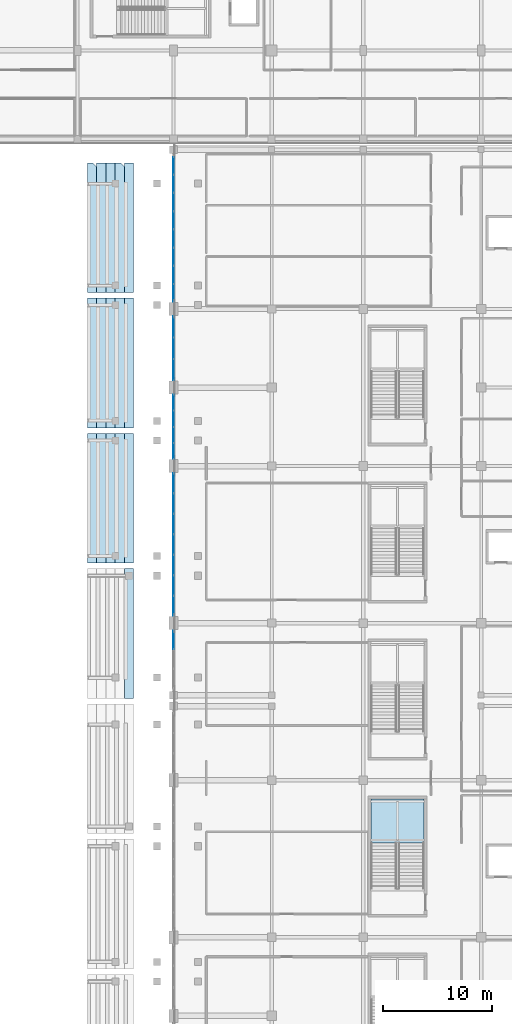
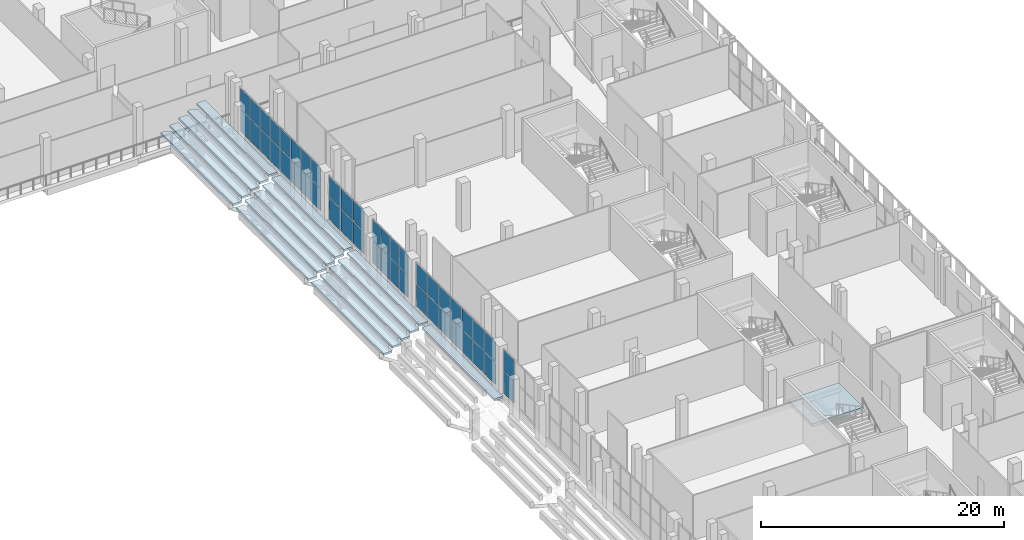
# One storey, part 81 of 142: 46 plates, 17 slabs, 6 elements without a shape of their own.
"""IFC4 building model written with IfcOpenShell, lengths in metres."""

from ifc_helpers import new_model, si_unit, direction, frame, origin, origin_2d, place, context, subcontext, project, spatial, polyline, rectangle, outline, extrude, material, layer, layer_set, type_object, element, aggregate, save


model = new_model("IFC4")

# Units and contexts
model_context = context("Model", 3, precision=1e-05, world=origin(), true_north=direction((0.0, 1.0)))
body_context = subcontext(model_context, "Body", "Model", "MODEL_VIEW")
ifc_project = project(units=[si_unit("LENGTHUNIT", "METRE"), si_unit("AREAUNIT", "SQUARE_METRE"), si_unit("VOLUMEUNIT", "CUBIC_METRE"), si_unit("PLANEANGLEUNIT", "RADIAN"), si_unit("MASSUNIT", "GRAM", prefix="KILO")], contexts=[model_context])

# Site, building, storey
site_placement = place(None, origin())
site = spatial("IfcSite", under=ifc_project, at=site_placement, CompositionType="ELEMENT")
building_placement = place(site_placement, origin())
building = spatial("IfcBuilding", under=site, at=building_placement, Name="Koshinbarg Plaza Stadium", CompositionType="ELEMENT")
storey_placement = place(building_placement, frame((0.0, 0.0, 10.199951171875)))
storey = spatial("IfcBuildingStorey", under=building, at=storey_placement, Name="L02", CompositionType="ELEMENT", Elevation=10.199951171875)

# Curtain wall, plates
ifc_material_1 = material(Name="Thermally broken anodised aluminium and low-E double glazing", Category="aluminium")
curtain_wall_type_1 = type_object("IfcCurtainWallType", Name="CW-SYS-07", PredefinedType="NOTDEFINED", material=ifc_material_1)
curtain_wall_1_placement = place(storey_placement, origin())
curtain_wall_1 = element("IfcCurtainWall", 1, at=curtain_wall_1_placement, inside=storey, type_object=curtain_wall_type_1, Name="L02 unitised curtain wall CW-L02-086", PredefinedType="NOTDEFINED")
ifc_material_2 = material(Name="Solar-control low-E double glazing unit", Category="glass")
ifc_layer_1 = layer(ifc_material_2, 0.028076171875)
ifc_layer_set_1 = layer_set([ifc_layer_1], Name="Solar-control low-E double glazing unit")
plate_type_1 = type_object("IfcPlateType", Name="CW-PNL-28", PredefinedType="CURTAIN_PANEL", material=ifc_layer_set_1)
plate_1_placement = place(storey_placement, frame((180.39990234375, 81.57177734375, 0.06005859375), z_axis=(0.0, 0.0, 1.0), x_axis=(0.0, 1.0, 0.0)))
plate_1 = element("IfcPlate", 2, at=plate_1_placement, type_object=plate_type_1, Name="CW07 panel 3.1", PredefinedType="CURTAIN_PANEL", context=body_context, shape_type="SweptSolid", body=[
    extrude(rectangle(XDim=1.69677734375, YDim=0.028076171875, at=origin_2d()), origin(), (0.0, 0.0, 1.0), 2.239501953125),
])
plate_2_placement = place(storey_placement, frame((180.39990234375, 81.57177734375, 2.35986328125), z_axis=(0.0, 0.0, 1.0), x_axis=(0.0, 1.0, 0.0)))
plate_2 = element("IfcPlate", 3, at=plate_2_placement, type_object=plate_type_1, Name="CW07 panel 3.2", PredefinedType="CURTAIN_PANEL", context=body_context, shape_type="SweptSolid", body=[
    extrude(rectangle(XDim=1.69677734375, YDim=0.028076171875, at=origin_2d()), origin(), (0.0, 0.0, 1.0), 2.060302734375),
])
aggregate(curtain_wall_1, [plate_1, plate_2])

curtain_wall_type_2 = type_object("IfcCurtainWallType", Name="CW-SYS-09", PredefinedType="NOTDEFINED", material=ifc_material_1)
curtain_wall_2_placement = place(storey_placement, origin())
curtain_wall_2 = element("IfcCurtainWall", 4, at=curtain_wall_2_placement, inside=storey, type_object=curtain_wall_type_2, Name="L02 unitised curtain wall CW-L02-088", PredefinedType="NOTDEFINED")
plate_3_placement = place(storey_placement, frame((180.39990234375, 98.8798828125, 0.06005859375), z_axis=(0.0, 0.0, 1.0), x_axis=(0.0, 1.0, 0.0)))
plate_3 = element("IfcPlate", 5, at=plate_3_placement, type_object=plate_type_1, Name="CW09 panel 1.1", PredefinedType="CURTAIN_PANEL", context=body_context, shape_type="SweptSolid", body=[
    extrude(rectangle(XDim=1.39990234375, YDim=0.028076171875, at=origin_2d()), origin(), (0.0, 0.0, 1.0), 2.239501953125),
])
plate_4_placement = place(storey_placement, frame((180.39990234375, 98.8798828125, 2.35986328125), z_axis=(0.0, 0.0, 1.0), x_axis=(0.0, 1.0, 0.0)))
plate_4 = element("IfcPlate", 6, at=plate_4_placement, type_object=plate_type_1, Name="CW09 panel 1.2", PredefinedType="CURTAIN_PANEL", context=body_context, shape_type="SweptSolid", body=[
    extrude(rectangle(XDim=1.39990234375, YDim=0.028076171875, at=origin_2d()), origin(), (0.0, 0.0, 1.0), 2.060302734375),
])
plate_5_placement = place(storey_placement, frame((180.39990234375, 100.35498046875, 0.06005859375), z_axis=(0.0, 0.0, 1.0), x_axis=(0.0, 1.0, 0.0)))
plate_5 = element("IfcPlate", 7, at=plate_5_placement, type_object=plate_type_1, Name="CW09 panel 2.1", PredefinedType="CURTAIN_PANEL", context=body_context, shape_type="SweptSolid", body=[
    extrude(rectangle(XDim=1.429931640625, YDim=0.028076171875, at=origin_2d()), origin(), (0.0, 0.0, 1.0), 2.239501953125),
])
plate_6_placement = place(storey_placement, frame((180.39990234375, 100.35498046875, 2.35986328125), z_axis=(0.0, 0.0, 1.0), x_axis=(0.0, 1.0, 0.0)))
plate_6 = element("IfcPlate", 8, at=plate_6_placement, type_object=plate_type_1, Name="CW09 panel 2.2", PredefinedType="CURTAIN_PANEL", context=body_context, shape_type="SweptSolid", body=[
    extrude(rectangle(XDim=1.429931640625, YDim=0.028076171875, at=origin_2d()), origin(), (0.0, 0.0, 1.0), 2.060302734375),
])
plate_7_placement = place(storey_placement, frame((180.39990234375, 101.844970703125, 0.06005859375), z_axis=(0.0, 0.0, 1.0), x_axis=(0.0, 1.0, 0.0)))
plate_7 = element("IfcPlate", 9, at=plate_7_placement, type_object=plate_type_1, Name="CW09 panel 3.1", PredefinedType="CURTAIN_PANEL", context=body_context, shape_type="SweptSolid", body=[
    extrude(rectangle(XDim=1.429931640625, YDim=0.028076171875, at=origin_2d()), origin(), (0.0, 0.0, 1.0), 2.239501953125),
])
plate_8_placement = place(storey_placement, frame((180.39990234375, 101.844970703125, 2.35986328125), z_axis=(0.0, 0.0, 1.0), x_axis=(0.0, 1.0, 0.0)))
plate_8 = element("IfcPlate", 10, at=plate_8_placement, type_object=plate_type_1, Name="CW09 panel 3.2", PredefinedType="CURTAIN_PANEL", context=body_context, shape_type="SweptSolid", body=[
    extrude(rectangle(XDim=1.429931640625, YDim=0.028076171875, at=origin_2d()), origin(), (0.0, 0.0, 1.0), 2.060302734375),
])
plate_9_placement = place(storey_placement, frame((180.39990234375, 103.320068359375, 0.06005859375), z_axis=(0.0, 0.0, 1.0), x_axis=(0.0, 1.0, 0.0)))
plate_9 = element("IfcPlate", 11, at=plate_9_placement, type_object=plate_type_1, Name="CW09 panel 4.1", PredefinedType="CURTAIN_PANEL", context=body_context, shape_type="SweptSolid", body=[
    extrude(rectangle(XDim=1.39990234375, YDim=0.028076171875, at=origin_2d()), origin(), (0.0, 0.0, 1.0), 2.239501953125),
])
plate_10_placement = place(storey_placement, frame((180.39990234375, 103.320068359375, 2.35986328125), z_axis=(0.0, 0.0, 1.0), x_axis=(0.0, 1.0, 0.0)))
plate_10 = element("IfcPlate", 12, at=plate_10_placement, type_object=plate_type_1, Name="CW09 panel 4.2", PredefinedType="CURTAIN_PANEL", context=body_context, shape_type="SweptSolid", body=[
    extrude(rectangle(XDim=1.39990234375, YDim=0.028076171875, at=origin_2d()), origin(), (0.0, 0.0, 1.0), 2.060302734375),
])
aggregate(curtain_wall_2, [plate_3, plate_4, plate_5, plate_6, plate_7, plate_8, plate_9, plate_10])

curtain_wall_type_3 = type_object("IfcCurtainWallType", Name="CW-SYS-11", PredefinedType="NOTDEFINED", material=ifc_material_1)
curtain_wall_3_placement = place(storey_placement, origin())
curtain_wall_3 = element("IfcCurtainWall", 13, at=curtain_wall_3_placement, inside=storey, type_object=curtain_wall_type_3, Name="L02 unitised curtain wall CW-L02-090", PredefinedType="NOTDEFINED")
plate_11_placement = place(storey_placement, frame((180.39990234375, 113.3701171875, 0.06005859375), z_axis=(0.0, 0.0, 1.0), x_axis=(0.0, 1.0, 0.0)))
plate_11 = element("IfcPlate", 14, at=plate_11_placement, type_object=plate_type_1, Name="CW11 panel 1.1", PredefinedType="CURTAIN_PANEL", context=body_context, shape_type="SweptSolid", body=[
    extrude(rectangle(XDim=1.580078125, YDim=0.028076171875, at=origin_2d()), origin(), (0.0, 0.0, 1.0), 2.239501953125),
])
plate_12_placement = place(storey_placement, frame((180.39990234375, 113.3701171875, 2.35986328125), z_axis=(0.0, 0.0, 1.0), x_axis=(0.0, 1.0, 0.0)))
plate_12 = element("IfcPlate", 15, at=plate_12_placement, type_object=plate_type_1, Name="CW11 panel 1.2", PredefinedType="CURTAIN_PANEL", context=body_context, shape_type="SweptSolid", body=[
    extrude(rectangle(XDim=1.580078125, YDim=0.028076171875, at=origin_2d()), origin(), (0.0, 0.0, 1.0), 2.060302734375),
])
plate_13_placement = place(storey_placement, frame((180.39990234375, 115.02490234375, 0.06005859375), z_axis=(0.0, 0.0, 1.0), x_axis=(0.0, 1.0, 0.0)))
plate_13 = element("IfcPlate", 16, at=plate_13_placement, type_object=plate_type_1, Name="CW11 panel 2.1", PredefinedType="CURTAIN_PANEL", context=body_context, shape_type="SweptSolid", body=[
    extrude(rectangle(XDim=1.610107421875, YDim=0.028076171875, at=origin_2d()), origin(), (0.0, 0.0, 1.0), 2.239501953125),
])
plate_14_placement = place(storey_placement, frame((180.39990234375, 115.02490234375, 2.35986328125), z_axis=(0.0, 0.0, 1.0), x_axis=(0.0, 1.0, 0.0)))
plate_14 = element("IfcPlate", 17, at=plate_14_placement, type_object=plate_type_1, Name="CW11 panel 2.2", PredefinedType="CURTAIN_PANEL", context=body_context, shape_type="SweptSolid", body=[
    extrude(rectangle(XDim=1.610107421875, YDim=0.028076171875, at=origin_2d()), origin(), (0.0, 0.0, 1.0), 2.060302734375),
])
plate_15_placement = place(storey_placement, frame((180.39990234375, 116.695068359375, 0.06005859375), z_axis=(0.0, 0.0, 1.0), x_axis=(0.0, 1.0, 0.0)))
plate_15 = element("IfcPlate", 18, at=plate_15_placement, type_object=plate_type_1, Name="CW11 panel 3.1", PredefinedType="CURTAIN_PANEL", context=body_context, shape_type="SweptSolid", body=[
    extrude(rectangle(XDim=1.610107421875, YDim=0.028076171875, at=origin_2d()), origin(), (0.0, 0.0, 1.0), 2.239501953125),
])
plate_16_placement = place(storey_placement, frame((180.39990234375, 116.695068359375, 2.35986328125), z_axis=(0.0, 0.0, 1.0), x_axis=(0.0, 1.0, 0.0)))
plate_16 = element("IfcPlate", 19, at=plate_16_placement, type_object=plate_type_1, Name="CW11 panel 3.2", PredefinedType="CURTAIN_PANEL", context=body_context, shape_type="SweptSolid", body=[
    extrude(rectangle(XDim=1.610107421875, YDim=0.028076171875, at=origin_2d()), origin(), (0.0, 0.0, 1.0), 2.060302734375),
])
plate_17_placement = place(storey_placement, frame((180.39990234375, 118.364990234375, 0.06005859375), z_axis=(0.0, 0.0, 1.0), x_axis=(0.0, 1.0, 0.0)))
plate_17 = element("IfcPlate", 20, at=plate_17_placement, type_object=plate_type_1, Name="CW11 panel 4.1", PredefinedType="CURTAIN_PANEL", context=body_context, shape_type="SweptSolid", body=[
    extrude(rectangle(XDim=1.610107421875, YDim=0.028076171875, at=origin_2d()), origin(), (0.0, 0.0, 1.0), 2.239501953125),
])
plate_18_placement = place(storey_placement, frame((180.39990234375, 118.364990234375, 2.35986328125), z_axis=(0.0, 0.0, 1.0), x_axis=(0.0, 1.0, 0.0)))
plate_18 = element("IfcPlate", 21, at=plate_18_placement, type_object=plate_type_1, Name="CW11 panel 4.2", PredefinedType="CURTAIN_PANEL", context=body_context, shape_type="SweptSolid", body=[
    extrude(rectangle(XDim=1.610107421875, YDim=0.028076171875, at=origin_2d()), origin(), (0.0, 0.0, 1.0), 2.060302734375),
])
plate_19_placement = place(storey_placement, frame((180.39990234375, 120.034912109375, 0.06005859375), z_axis=(0.0, 0.0, 1.0), x_axis=(0.0, 1.0, 0.0)))
plate_19 = element("IfcPlate", 22, at=plate_19_placement, type_object=plate_type_1, Name="CW11 panel 5.1", PredefinedType="CURTAIN_PANEL", context=body_context, shape_type="SweptSolid", body=[
    extrude(rectangle(XDim=1.610107421875, YDim=0.028076171875, at=origin_2d()), origin(), (0.0, 0.0, 1.0), 2.239501953125),
])
plate_20_placement = place(storey_placement, frame((180.39990234375, 120.034912109375, 2.35986328125), z_axis=(0.0, 0.0, 1.0), x_axis=(0.0, 1.0, 0.0)))
plate_20 = element("IfcPlate", 23, at=plate_20_placement, type_object=plate_type_1, Name="CW11 panel 5.2", PredefinedType="CURTAIN_PANEL", context=body_context, shape_type="SweptSolid", body=[
    extrude(rectangle(XDim=1.610107421875, YDim=0.028076171875, at=origin_2d()), origin(), (0.0, 0.0, 1.0), 2.060302734375),
])
plate_21_placement = place(storey_placement, frame((180.39990234375, 121.705078125, 0.06005859375), z_axis=(0.0, 0.0, 1.0), x_axis=(0.0, 1.0, 0.0)))
plate_21 = element("IfcPlate", 24, at=plate_21_placement, type_object=plate_type_1, Name="CW11 panel 6.1", PredefinedType="CURTAIN_PANEL", context=body_context, shape_type="SweptSolid", body=[
    extrude(rectangle(XDim=1.610107421875, YDim=0.028076171875, at=origin_2d()), origin(), (0.0, 0.0, 1.0), 2.239501953125),
])
plate_22_placement = place(storey_placement, frame((180.39990234375, 121.705078125, 2.35986328125), z_axis=(0.0, 0.0, 1.0), x_axis=(0.0, 1.0, 0.0)))
plate_22 = element("IfcPlate", 25, at=plate_22_placement, type_object=plate_type_1, Name="CW11 panel 6.2", PredefinedType="CURTAIN_PANEL", context=body_context, shape_type="SweptSolid", body=[
    extrude(rectangle(XDim=1.610107421875, YDim=0.028076171875, at=origin_2d()), origin(), (0.0, 0.0, 1.0), 2.060302734375),
])
plate_23_placement = place(storey_placement, frame((180.39990234375, 123.375, 0.06005859375), z_axis=(0.0, 0.0, 1.0), x_axis=(0.0, 1.0, 0.0)))
plate_23 = element("IfcPlate", 26, at=plate_23_placement, type_object=plate_type_1, Name="CW11 panel 7.1", PredefinedType="CURTAIN_PANEL", context=body_context, shape_type="SweptSolid", body=[
    extrude(rectangle(XDim=1.610107421875, YDim=0.028076171875, at=origin_2d()), origin(), (0.0, 0.0, 1.0), 2.239501953125),
])
plate_24_placement = place(storey_placement, frame((180.39990234375, 123.375, 2.35986328125), z_axis=(0.0, 0.0, 1.0), x_axis=(0.0, 1.0, 0.0)))
plate_24 = element("IfcPlate", 27, at=plate_24_placement, type_object=plate_type_1, Name="CW11 panel 7.2", PredefinedType="CURTAIN_PANEL", context=body_context, shape_type="SweptSolid", body=[
    extrude(rectangle(XDim=1.610107421875, YDim=0.028076171875, at=origin_2d()), origin(), (0.0, 0.0, 1.0), 2.060302734375),
])
plate_25_placement = place(storey_placement, frame((180.39990234375, 125.030029296875, 0.06005859375), z_axis=(0.0, 0.0, 1.0), x_axis=(0.0, 1.0, 0.0)))
plate_25 = element("IfcPlate", 28, at=plate_25_placement, type_object=plate_type_1, Name="CW11 panel 8.1", PredefinedType="CURTAIN_PANEL", context=body_context, shape_type="SweptSolid", body=[
    extrude(rectangle(XDim=1.580078125, YDim=0.028076171875, at=origin_2d()), origin(), (0.0, 0.0, 1.0), 2.239501953125),
])
plate_26_placement = place(storey_placement, frame((180.39990234375, 125.030029296875, 2.35986328125), z_axis=(0.0, 0.0, 1.0), x_axis=(0.0, 1.0, 0.0)))
plate_26 = element("IfcPlate", 29, at=plate_26_placement, type_object=plate_type_1, Name="CW11 panel 8.2", PredefinedType="CURTAIN_PANEL", context=body_context, shape_type="SweptSolid", body=[
    extrude(rectangle(XDim=1.580078125, YDim=0.028076171875, at=origin_2d()), origin(), (0.0, 0.0, 1.0), 2.060302734375),
])
aggregate(curtain_wall_3, [plate_11, plate_12, plate_13, plate_14, plate_15, plate_16, plate_17, plate_18, plate_19, plate_20, plate_21, plate_22, plate_23, plate_24, plate_25, plate_26])

curtain_wall_type_4 = type_object("IfcCurtainWallType", Name="CW-SYS-08", PredefinedType="NOTDEFINED", material=ifc_material_1)
curtain_wall_4_placement = place(storey_placement, origin())
curtain_wall_4 = element("IfcCurtainWall", 30, at=curtain_wall_4_placement, inside=storey, type_object=curtain_wall_type_4, Name="L02 unitised curtain wall CW-L02-087", PredefinedType="NOTDEFINED")
ifc_material_3 = material(Name="Acoustic solar-control double glazing unit", Category="glass")
ifc_layer_2 = layer(ifc_material_3, 0.031982421875)
ifc_layer_set_2 = layer_set([ifc_layer_2], Name="Acoustic solar-control double glazing unit")
plate_type_2 = type_object("IfcPlateType", Name="CW-PNL-32", PredefinedType="CURTAIN_PANEL", material=ifc_layer_set_2)
plate_27_placement = place(storey_placement, frame((180.39990234375, 84.675048828125, 0.06005859375), z_axis=(0.0, 0.0, 1.0), x_axis=(0.0, 1.0, 0.0)))
plate_27 = element("IfcPlate", 31, at=plate_27_placement, type_object=plate_type_2, Name="CW08 panel 1.1", PredefinedType="CURTAIN_PANEL", context=body_context, shape_type="SweptSolid", body=[
    extrude(rectangle(XDim=1.7900390625, YDim=0.031982421875, at=origin_2d()), origin(), (0.0, 0.0, 1.0), 2.239501953125),
])
plate_28_placement = place(storey_placement, frame((180.39990234375, 84.675048828125, 2.35986328125), z_axis=(0.0, 0.0, 1.0), x_axis=(0.0, 1.0, 0.0)))
plate_28 = element("IfcPlate", 32, at=plate_28_placement, type_object=plate_type_2, Name="CW08 panel 1.2", PredefinedType="CURTAIN_PANEL", context=body_context, shape_type="SweptSolid", body=[
    extrude(rectangle(XDim=1.7900390625, YDim=0.031982421875, at=origin_2d()), origin(), (0.0, 0.0, 1.0), 2.060302734375),
])
plate_29_placement = place(storey_placement, frame((180.39990234375, 86.5400390625, 0.06005859375), z_axis=(0.0, 0.0, 1.0), x_axis=(0.0, 1.0, 0.0)))
plate_29 = element("IfcPlate", 33, at=plate_29_placement, type_object=plate_type_2, Name="CW08 panel 2.1", PredefinedType="CURTAIN_PANEL", context=body_context, shape_type="SweptSolid", body=[
    extrude(rectangle(XDim=1.820068359375, YDim=0.031982421875, at=origin_2d()), origin(), (0.0, 0.0, 1.0), 2.239501953125),
])
plate_30_placement = place(storey_placement, frame((180.39990234375, 86.5400390625, 2.35986328125), z_axis=(0.0, 0.0, 1.0), x_axis=(0.0, 1.0, 0.0)))
plate_30 = element("IfcPlate", 34, at=plate_30_placement, type_object=plate_type_2, Name="CW08 panel 2.2", PredefinedType="CURTAIN_PANEL", context=body_context, shape_type="SweptSolid", body=[
    extrude(rectangle(XDim=1.820068359375, YDim=0.031982421875, at=origin_2d()), origin(), (0.0, 0.0, 1.0), 2.060302734375),
])
plate_31_placement = place(storey_placement, frame((180.39990234375, 88.419921875, 0.06005859375), z_axis=(0.0, 0.0, 1.0), x_axis=(0.0, 1.0, 0.0)))
plate_31 = element("IfcPlate", 35, at=plate_31_placement, type_object=plate_type_2, Name="CW08 panel 3.1", PredefinedType="CURTAIN_PANEL", context=body_context, shape_type="SweptSolid", body=[
    extrude(rectangle(XDim=1.820068359375, YDim=0.031982421875, at=origin_2d()), origin(), (0.0, 0.0, 1.0), 2.239501953125),
])
plate_32_placement = place(storey_placement, frame((180.39990234375, 88.419921875, 2.35986328125), z_axis=(0.0, 0.0, 1.0), x_axis=(0.0, 1.0, 0.0)))
plate_32 = element("IfcPlate", 36, at=plate_32_placement, type_object=plate_type_2, Name="CW08 panel 3.2", PredefinedType="CURTAIN_PANEL", context=body_context, shape_type="SweptSolid", body=[
    extrude(rectangle(XDim=1.820068359375, YDim=0.031982421875, at=origin_2d()), origin(), (0.0, 0.0, 1.0), 2.060302734375),
])
plate_33_placement = place(storey_placement, frame((180.39990234375, 90.300048828125, 0.06005859375), z_axis=(0.0, 0.0, 1.0), x_axis=(0.0, 1.0, 0.0)))
plate_33 = element("IfcPlate", 37, at=plate_33_placement, type_object=plate_type_2, Name="CW08 panel 4.1", PredefinedType="CURTAIN_PANEL", context=body_context, shape_type="SweptSolid", body=[
    extrude(rectangle(XDim=1.820068359375, YDim=0.031982421875, at=origin_2d()), origin(), (0.0, 0.0, 1.0), 2.239501953125),
])
plate_34_placement = place(storey_placement, frame((180.39990234375, 90.300048828125, 2.35986328125), z_axis=(0.0, 0.0, 1.0), x_axis=(0.0, 1.0, 0.0)))
plate_34 = element("IfcPlate", 38, at=plate_34_placement, type_object=plate_type_2, Name="CW08 panel 4.2", PredefinedType="CURTAIN_PANEL", context=body_context, shape_type="SweptSolid", body=[
    extrude(rectangle(XDim=1.820068359375, YDim=0.031982421875, at=origin_2d()), origin(), (0.0, 0.0, 1.0), 2.060302734375),
])
plate_35_placement = place(storey_placement, frame((180.39990234375, 92.179931640625, 0.06005859375), z_axis=(0.0, 0.0, 1.0), x_axis=(0.0, 1.0, 0.0)))
plate_35 = element("IfcPlate", 39, at=plate_35_placement, type_object=plate_type_2, Name="CW08 panel 5.1", PredefinedType="CURTAIN_PANEL", context=body_context, shape_type="SweptSolid", body=[
    extrude(rectangle(XDim=1.820068359375, YDim=0.031982421875, at=origin_2d()), origin(), (0.0, 0.0, 1.0), 2.239501953125),
])
plate_36_placement = place(storey_placement, frame((180.39990234375, 92.179931640625, 2.35986328125), z_axis=(0.0, 0.0, 1.0), x_axis=(0.0, 1.0, 0.0)))
plate_36 = element("IfcPlate", 40, at=plate_36_placement, type_object=plate_type_2, Name="CW08 panel 5.2", PredefinedType="CURTAIN_PANEL", context=body_context, shape_type="SweptSolid", body=[
    extrude(rectangle(XDim=1.820068359375, YDim=0.031982421875, at=origin_2d()), origin(), (0.0, 0.0, 1.0), 2.060302734375),
])
plate_37_placement = place(storey_placement, frame((180.39990234375, 94.06005859375, 0.06005859375), z_axis=(0.0, 0.0, 1.0), x_axis=(0.0, 1.0, 0.0)))
plate_37 = element("IfcPlate", 41, at=plate_37_placement, type_object=plate_type_2, Name="CW08 panel 6.1", PredefinedType="CURTAIN_PANEL", context=body_context, shape_type="SweptSolid", body=[
    extrude(rectangle(XDim=1.820068359375, YDim=0.031982421875, at=origin_2d()), origin(), (0.0, 0.0, 1.0), 2.239501953125),
])
plate_38_placement = place(storey_placement, frame((180.39990234375, 94.06005859375, 2.35986328125), z_axis=(0.0, 0.0, 1.0), x_axis=(0.0, 1.0, 0.0)))
plate_38 = element("IfcPlate", 42, at=plate_38_placement, type_object=plate_type_2, Name="CW08 panel 6.2", PredefinedType="CURTAIN_PANEL", context=body_context, shape_type="SweptSolid", body=[
    extrude(rectangle(XDim=1.820068359375, YDim=0.031982421875, at=origin_2d()), origin(), (0.0, 0.0, 1.0), 2.060302734375),
])
plate_39_placement = place(storey_placement, frame((180.39990234375, 95.925048828125, 0.06005859375), z_axis=(0.0, 0.0, 1.0), x_axis=(0.0, 1.0, 0.0)))
plate_39 = element("IfcPlate", 43, at=plate_39_placement, type_object=plate_type_2, Name="CW08 panel 7.1", PredefinedType="CURTAIN_PANEL", context=body_context, shape_type="SweptSolid", body=[
    extrude(rectangle(XDim=1.7900390625, YDim=0.031982421875, at=origin_2d()), origin(), (0.0, 0.0, 1.0), 2.239501953125),
])
plate_40_placement = place(storey_placement, frame((180.39990234375, 95.925048828125, 2.35986328125), z_axis=(0.0, 0.0, 1.0), x_axis=(0.0, 1.0, 0.0)))
plate_40 = element("IfcPlate", 44, at=plate_40_placement, type_object=plate_type_2, Name="CW08 panel 7.2", PredefinedType="CURTAIN_PANEL", context=body_context, shape_type="SweptSolid", body=[
    extrude(rectangle(XDim=1.7900390625, YDim=0.031982421875, at=origin_2d()), origin(), (0.0, 0.0, 1.0), 2.060302734375),
])
aggregate(curtain_wall_4, [plate_27, plate_28, plate_29, plate_30, plate_31, plate_32, plate_33, plate_34, plate_35, plate_36, plate_37, plate_38, plate_39, plate_40])

curtain_wall_type_5 = type_object("IfcCurtainWallType", Name="CW-SYS-10", PredefinedType="NOTDEFINED", material=ifc_material_1)
curtain_wall_5_placement = place(storey_placement, origin())
curtain_wall_5 = element("IfcCurtainWall", 45, at=curtain_wall_5_placement, inside=storey, type_object=curtain_wall_type_5, Name="L02 unitised curtain wall CW-L02-089", PredefinedType="NOTDEFINED")
plate_41_placement = place(storey_placement, frame((180.39990234375, 106.328369140625, 0.06005859375), z_axis=(0.0, 0.0, 1.0), x_axis=(0.0, 1.0, 0.0)))
plate_41 = element("IfcPlate", 46, at=plate_41_placement, type_object=plate_type_2, Name="CW10 panel 1.1", PredefinedType="CURTAIN_PANEL", context=body_context, shape_type="SweptSolid", body=[
    extrude(rectangle(XDim=1.896728515625, YDim=0.031982421875, at=origin_2d()), origin(), (0.0, 0.0, 1.0), 2.239501953125),
])
plate_42_placement = place(storey_placement, frame((180.39990234375, 106.328369140625, 2.35986328125), z_axis=(0.0, 0.0, 1.0), x_axis=(0.0, 1.0, 0.0)))
plate_42 = element("IfcPlate", 47, at=plate_42_placement, type_object=plate_type_2, Name="CW10 panel 1.2", PredefinedType="CURTAIN_PANEL", context=body_context, shape_type="SweptSolid", body=[
    extrude(rectangle(XDim=1.896728515625, YDim=0.031982421875, at=origin_2d()), origin(), (0.0, 0.0, 1.0), 2.060302734375),
])
plate_43_placement = place(storey_placement, frame((180.39990234375, 108.300048828125, 0.06005859375), z_axis=(0.0, 0.0, 1.0), x_axis=(0.0, 1.0, 0.0)))
plate_43 = element("IfcPlate", 48, at=plate_43_placement, type_object=plate_type_2, Name="CW10 panel 2.1", PredefinedType="CURTAIN_PANEL", context=body_context, shape_type="SweptSolid", body=[
    extrude(rectangle(XDim=1.9267578125, YDim=0.031982421875, at=origin_2d()), origin(), (0.0, 0.0, 1.0), 2.239501953125),
])
plate_44_placement = place(storey_placement, frame((180.39990234375, 108.300048828125, 2.35986328125), z_axis=(0.0, 0.0, 1.0), x_axis=(0.0, 1.0, 0.0)))
plate_44 = element("IfcPlate", 49, at=plate_44_placement, type_object=plate_type_2, Name="CW10 panel 2.2", PredefinedType="CURTAIN_PANEL", context=body_context, shape_type="SweptSolid", body=[
    extrude(rectangle(XDim=1.9267578125, YDim=0.031982421875, at=origin_2d()), origin(), (0.0, 0.0, 1.0), 2.060302734375),
])
plate_45_placement = place(storey_placement, frame((180.39990234375, 110.271728515625, 0.06005859375), z_axis=(0.0, 0.0, 1.0), x_axis=(0.0, 1.0, 0.0)))
plate_45 = element("IfcPlate", 50, at=plate_45_placement, type_object=plate_type_2, Name="CW10 panel 3.1", PredefinedType="CURTAIN_PANEL", context=body_context, shape_type="SweptSolid", body=[
    extrude(rectangle(XDim=1.896728515625, YDim=0.031982421875, at=origin_2d()), origin(), (0.0, 0.0, 1.0), 2.239501953125),
])
plate_46_placement = place(storey_placement, frame((180.39990234375, 110.271728515625, 2.35986328125), z_axis=(0.0, 0.0, 1.0), x_axis=(0.0, 1.0, 0.0)))
plate_46 = element("IfcPlate", 51, at=plate_46_placement, type_object=plate_type_2, Name="CW10 panel 3.2", PredefinedType="CURTAIN_PANEL", context=body_context, shape_type="SweptSolid", body=[
    extrude(rectangle(XDim=1.896728515625, YDim=0.031982421875, at=origin_2d()), origin(), (0.0, 0.0, 1.0), 2.060302734375),
])
aggregate(curtain_wall_5, [plate_41, plate_42, plate_43, plate_44, plate_45, plate_46])

# Stair, slab
ifc_material_4 = material(Name="Concrete C35/45", Category="concrete")
stair_type = type_object("IfcStairType", Name="ST-VOM-48", PredefinedType="HALF_TURN_STAIR", material=ifc_material_4)
stair_placement = place(storey_placement, origin())
stair = element("IfcStair", 52, at=stair_placement, inside=storey, type_object=stair_type, Name="L02 Upper Vomitory Stair VX09", PredefinedType="HALF_TURN_STAIR")
ifc_layer_3 = layer(ifc_material_4, 0.320068359375)
ifc_layer_set_3 = layer_set([ifc_layer_3], Name="Concrete C35/45")
slab_type_1 = type_object("IfcSlabType", Name="SL-STLAND-280", PredefinedType="LANDING", material=ifc_layer_set_3)
slab_1_placement = place(storey_placement, frame((0.0, 0.0, 2.080078125)))
slab_1 = element("IfcSlab", 53, at=slab_1_placement, type_object=slab_type_1, Name="L02 Upper Vomitory Stair VX09 landing 101", PredefinedType="LANDING", context=body_context, shape_type="SweptSolid", body=[
    extrude(outline(polyline([(203.3701171875, 62.9599609375), (203.3701171875, 67.0), (198.5, 67.0), (198.5, 62.9599609375), (203.3701171875, 62.9599609375)])), origin(), (0.0, 0.0, 1.0), 0.320068359375),
])
aggregate(stair, [slab_1])

# Slabs
ifc_material_5 = material(Name="Precast concrete C40/50", Category="concrete")
ifc_layer_4 = layer(ifc_material_5, 0.199951171875)
ifc_layer_set_4 = layer_set([ifc_layer_4], Name="Precast concrete C40/50")
slab_type_2 = type_object("IfcSlabType", Name="SL-TIER-UT", PredefinedType="USERDEFINED", material=ifc_layer_set_4)
slab_2_placement = place(storey_placement, frame((0.0, 0.0, 4.580078125)))
element("IfcSlab", 54, at=slab_2_placement, inside=storey, type_object=slab_type_2, Name="Stand upper seating tier UT-E05 row 5", ObjectType="SEATING TIER", PredefinedType="USERDEFINED", context=body_context, shape_type="SweptSolid", body=[
    extrude(outline(polyline([(175.89990234375, 76.199951171875), (176.75, 76.199951171875), (176.75, 88.10009765625), (175.89990234375, 88.10009765625), (175.89990234375, 76.199951171875)])), origin(), (0.0, 0.0, 1.0), 0.199951171875),
])
slab_3_placement = place(storey_placement, frame((0.0, 0.0, 2.820068359375)))
element("IfcSlab", 55, at=slab_3_placement, inside=storey, type_object=slab_type_2, Name="Stand upper seating tier UT-E06 row 1", ObjectType="SEATING TIER", PredefinedType="USERDEFINED", context=body_context, shape_type="SweptSolid", body=[
    extrude(outline(polyline([(172.5, 88.60009765625), (173.35009765625, 88.60009765625), (173.35009765625, 100.5), (172.5, 100.5), (172.5, 88.60009765625)])), origin(), (0.0, 0.0, 1.0), 0.199951171875),
])
slab_4_placement = place(storey_placement, frame((0.0, 0.0, 3.260009765625)))
element("IfcSlab", 56, at=slab_4_placement, inside=storey, type_object=slab_type_2, Name="Stand upper seating tier UT-E06 row 2", ObjectType="SEATING TIER", PredefinedType="USERDEFINED", context=body_context, shape_type="SweptSolid", body=[
    extrude(outline(polyline([(173.35009765625, 88.60009765625), (174.199951171875, 88.60009765625), (174.199951171875, 100.5), (173.35009765625, 100.5), (173.35009765625, 88.60009765625)])), origin(), (0.0, 0.0, 1.0), 0.199951171875),
])
slab_5_placement = place(storey_placement, frame((0.0, 0.0, 3.699951171875)))
element("IfcSlab", 57, at=slab_5_placement, inside=storey, type_object=slab_type_2, Name="Stand upper seating tier UT-E06 row 3", ObjectType="SEATING TIER", PredefinedType="USERDEFINED", context=body_context, shape_type="SweptSolid", body=[
    extrude(outline(polyline([(174.199951171875, 88.60009765625), (175.050048828125, 88.60009765625), (175.050048828125, 100.5), (174.199951171875, 100.5), (174.199951171875, 88.60009765625)])), origin(), (0.0, 0.0, 1.0), 0.2001953125),
])
slab_6_placement = place(storey_placement, frame((0.0, 0.0, 4.14013671875)))
element("IfcSlab", 58, at=slab_6_placement, inside=storey, type_object=slab_type_2, Name="Stand upper seating tier UT-E06 row 4", ObjectType="SEATING TIER", PredefinedType="USERDEFINED", context=body_context, shape_type="SweptSolid", body=[
    extrude(outline(polyline([(175.050048828125, 88.60009765625), (175.89990234375, 88.60009765625), (175.89990234375, 100.5), (175.050048828125, 100.5), (175.050048828125, 88.60009765625)])), origin(), (0.0, 0.0, 1.0), 0.199951171875),
])
slab_7_placement = place(storey_placement, frame((0.0, 0.0, 4.580078125)))
element("IfcSlab", 59, at=slab_7_placement, inside=storey, type_object=slab_type_2, Name="Stand upper seating tier UT-E06 row 5", ObjectType="SEATING TIER", PredefinedType="USERDEFINED", context=body_context, shape_type="SweptSolid", body=[
    extrude(outline(polyline([(175.89990234375, 88.60009765625), (176.75, 88.60009765625), (176.75, 100.5), (175.89990234375, 100.5), (175.89990234375, 88.60009765625)])), origin(), (0.0, 0.0, 1.0), 0.199951171875),
])
slab_8_placement = place(storey_placement, frame((0.0, 0.0, 2.820068359375)))
element("IfcSlab", 60, at=slab_8_placement, inside=storey, type_object=slab_type_2, Name="Stand upper seating tier UT-E07 row 1", ObjectType="SEATING TIER", PredefinedType="USERDEFINED", context=body_context, shape_type="SweptSolid", body=[
    extrude(outline(polyline([(172.5, 101.0), (173.35009765625, 101.0), (173.35009765625, 112.89990234375), (172.5, 112.89990234375), (172.5, 101.0)])), origin(), (0.0, 0.0, 1.0), 0.199951171875),
])
slab_9_placement = place(storey_placement, frame((0.0, 0.0, 3.260009765625)))
element("IfcSlab", 61, at=slab_9_placement, inside=storey, type_object=slab_type_2, Name="Stand upper seating tier UT-E07 row 2", ObjectType="SEATING TIER", PredefinedType="USERDEFINED", context=body_context, shape_type="SweptSolid", body=[
    extrude(outline(polyline([(173.35009765625, 101.0), (174.199951171875, 101.0), (174.199951171875, 112.89990234375), (173.35009765625, 112.89990234375), (173.35009765625, 101.0)])), origin(), (0.0, 0.0, 1.0), 0.199951171875),
])
slab_10_placement = place(storey_placement, frame((0.0, 0.0, 3.699951171875)))
element("IfcSlab", 62, at=slab_10_placement, inside=storey, type_object=slab_type_2, Name="Stand upper seating tier UT-E07 row 3", ObjectType="SEATING TIER", PredefinedType="USERDEFINED", context=body_context, shape_type="SweptSolid", body=[
    extrude(outline(polyline([(174.199951171875, 101.0), (175.050048828125, 101.0), (175.050048828125, 112.89990234375), (174.199951171875, 112.89990234375), (174.199951171875, 101.0)])), origin(), (0.0, 0.0, 1.0), 0.2001953125),
])
slab_11_placement = place(storey_placement, frame((0.0, 0.0, 4.14013671875)))
element("IfcSlab", 63, at=slab_11_placement, inside=storey, type_object=slab_type_2, Name="Stand upper seating tier UT-E07 row 4", ObjectType="SEATING TIER", PredefinedType="USERDEFINED", context=body_context, shape_type="SweptSolid", body=[
    extrude(outline(polyline([(175.050048828125, 101.0), (175.89990234375, 101.0), (175.89990234375, 112.89990234375), (175.050048828125, 112.89990234375), (175.050048828125, 101.0)])), origin(), (0.0, 0.0, 1.0), 0.199951171875),
])
slab_12_placement = place(storey_placement, frame((0.0, 0.0, 4.580078125)))
element("IfcSlab", 64, at=slab_12_placement, inside=storey, type_object=slab_type_2, Name="Stand upper seating tier UT-E07 row 5", ObjectType="SEATING TIER", PredefinedType="USERDEFINED", context=body_context, shape_type="SweptSolid", body=[
    extrude(outline(polyline([(175.89990234375, 101.0), (176.75, 101.0), (176.75, 112.89990234375), (175.89990234375, 112.89990234375), (175.89990234375, 101.0)])), origin(), (0.0, 0.0, 1.0), 0.199951171875),
])
slab_13_placement = place(storey_placement, frame((0.0, 0.0, 2.820068359375)))
element("IfcSlab", 65, at=slab_13_placement, inside=storey, type_object=slab_type_2, Name="Stand upper seating tier UT-E08 row 1", ObjectType="SEATING TIER", PredefinedType="USERDEFINED", context=body_context, shape_type="SweptSolid", body=[
    extrude(outline(polyline([(172.5, 113.39990234375), (173.35009765625, 113.39990234375), (173.35009765625, 124.949951171875), (173.0, 125.300048828125), (172.5, 125.300048828125), (172.5, 113.39990234375)])), origin(), (0.0, 0.0, 1.0), 0.199951171875),
])
slab_14_placement = place(storey_placement, frame((0.0, 0.0, 3.260009765625)))
element("IfcSlab", 66, at=slab_14_placement, inside=storey, type_object=slab_type_2, Name="Stand upper seating tier UT-E08 row 2", ObjectType="SEATING TIER", PredefinedType="USERDEFINED", context=body_context, shape_type="SweptSolid", body=[
    extrude(outline(polyline([(173.35009765625, 113.39990234375), (174.199951171875, 113.39990234375), (174.199951171875, 125.300048828125), (173.35009765625, 125.300048828125), (173.35009765625, 113.39990234375)])), origin(), (0.0, 0.0, 1.0), 0.199951171875),
])
slab_15_placement = place(storey_placement, frame((0.0, 0.0, 3.699951171875)))
element("IfcSlab", 67, at=slab_15_placement, inside=storey, type_object=slab_type_2, Name="Stand upper seating tier UT-E08 row 3", ObjectType="SEATING TIER", PredefinedType="USERDEFINED", context=body_context, shape_type="SweptSolid", body=[
    extrude(outline(polyline([(174.199951171875, 113.39990234375), (175.050048828125, 113.39990234375), (175.050048828125, 125.300048828125), (174.199951171875, 125.300048828125), (174.199951171875, 113.39990234375)])), origin(), (0.0, 0.0, 1.0), 0.2001953125),
])
slab_16_placement = place(storey_placement, frame((0.0, 0.0, 4.14013671875)))
element("IfcSlab", 68, at=slab_16_placement, inside=storey, type_object=slab_type_2, Name="Stand upper seating tier UT-E08 row 4", ObjectType="SEATING TIER", PredefinedType="USERDEFINED", context=body_context, shape_type="SweptSolid", body=[
    extrude(outline(polyline([(175.050048828125, 113.39990234375), (175.89990234375, 113.39990234375), (175.89990234375, 124.949951171875), (175.550048828125, 125.300048828125), (175.050048828125, 125.300048828125), (175.050048828125, 113.39990234375)])), origin(), (0.0, 0.0, 1.0), 0.199951171875),
])
slab_17_placement = place(storey_placement, frame((0.0, 0.0, 4.580078125)))
element("IfcSlab", 69, at=slab_17_placement, inside=storey, type_object=slab_type_2, Name="Stand upper seating tier UT-E08 row 5", ObjectType="SEATING TIER", PredefinedType="USERDEFINED", context=body_context, shape_type="SweptSolid", body=[
    extrude(outline(polyline([(175.89990234375, 113.39990234375), (176.75, 113.39990234375), (176.75, 125.300048828125), (175.89990234375, 125.300048828125), (175.89990234375, 113.39990234375)])), origin(), (0.0, 0.0, 1.0), 0.199951171875),
])

save(model, "model.ifc")
